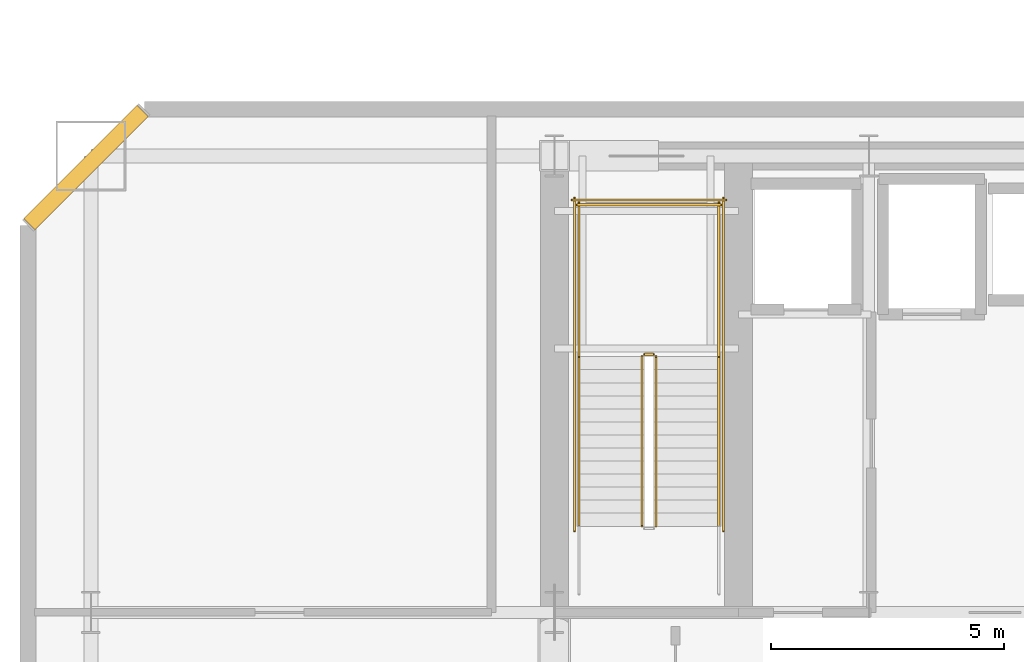
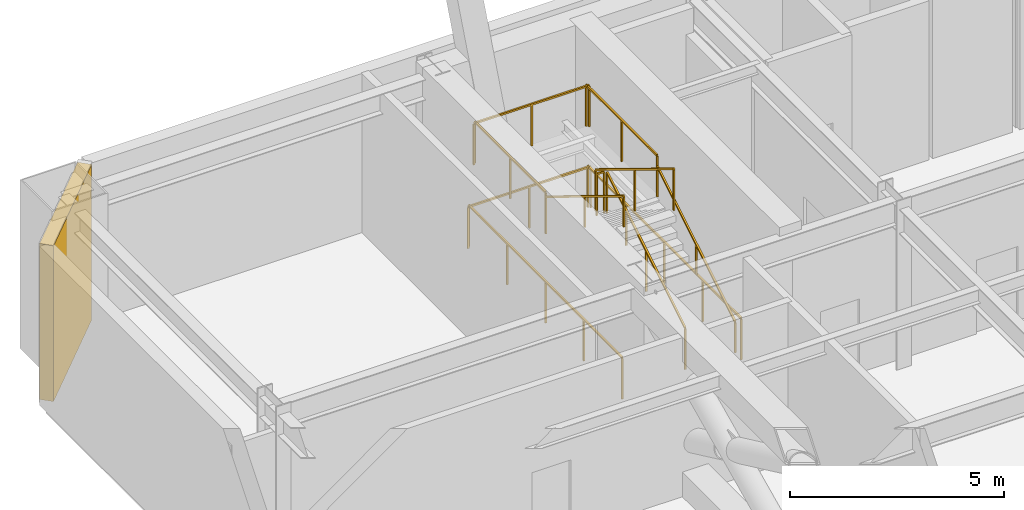
# One storey, part 13 of 17: 11 railings, 1 shading device.
"""IFC4 building model written with IfcOpenShell, lengths in metres."""

from ifc_helpers import new_model, si_unit, direction, frame, origin, origin_2d, place, context, subcontext, project, spatial, rectangle, extrude, material, layer, layer_set, type_object, element, save


model = new_model("IFC4")

# Units and contexts
model_context = context("Model", 3, precision=1e-05, world=origin(), true_north=direction((0.0, 1.0)))
body_context = subcontext(model_context, "Body", "Model", "MODEL_VIEW")
ifc_project = project(units=[si_unit("LENGTHUNIT", "METRE"), si_unit("AREAUNIT", "SQUARE_METRE"), si_unit("VOLUMEUNIT", "CUBIC_METRE"), si_unit("PLANEANGLEUNIT", "RADIAN"), si_unit("MASSUNIT", "GRAM", prefix="KILO")], contexts=[model_context])

# Site, building, storey
site_placement = place(None, origin())
site = spatial("IfcSite", under=ifc_project, at=site_placement, CompositionType="ELEMENT")
building_placement = place(site_placement, origin())
building = spatial("IfcBuilding", under=site, at=building_placement, Name="Haevon Station Towers", CompositionType="ELEMENT")
storey_placement = place(building_placement, frame((0.0, 0.0, 81.89990234375)))
storey = spatial("IfcBuildingStorey", under=building, at=storey_placement, Name="L21", CompositionType="ELEMENT", Elevation=81.89990234375)

# Railings
ifc_material_1 = material(Name="Steel S355", Category="steel")
railing_type_1 = type_object("IfcRailingType", Name="GRD-STR1200", PredefinedType="GUARDRAIL", material=ifc_material_1)
railing_1_placement = place(storey_placement, frame((26.179931640625, 40.050048828125, 0.171630859375)))
element("IfcRailing", 1, at=railing_1_placement, inside=storey, type_object=railing_type_1, Name="L21 ST1 Stair Guard 1", PredefinedType="GUARDRAIL", context=body_context, shape_type="SweptSolid", body=[
    extrude(rectangle(XDim=0.048095703125, YDim=0.048095703125, at=origin_2d()), frame((0.0, 0.0, 1.17578125), z_axis=(0.0, 0.852850264322, 0.5221555579), x_axis=(-1.0, 0.0, 0.0)), (0.0, 0.0, 1.0), 4.267822265625),
    extrude(rectangle(XDim=0.0419921875, YDim=0.0419921875, at=origin_2d()), origin(), (0.0, 0.0, 1.0), 1.15185546875),
    extrude(rectangle(XDim=0.0419921875, YDim=0.0419921875, at=origin_2d()), frame((0.0, 1.81982421875, 1.1142578125)), (0.0, 0.0, 1.0), 1.15185546875),
    extrude(rectangle(XDim=0.0419921875, YDim=0.0419921875, at=origin_2d()), frame((0.0, 3.639892578125, 2.228515625)), (0.0, 0.0, 1.0), 1.15185546875),
])
railing_2_placement = place(storey_placement, frame((26.1298828125, 43.739990234375, 2.400146484375)))
element("IfcRailing", 2, at=railing_2_placement, inside=storey, type_object=railing_type_1, Name="L21 ST1 Stair Guard 2", PredefinedType="GUARDRAIL", context=body_context, shape_type="SweptSolid", body=[
    extrude(rectangle(XDim=0.048095703125, YDim=0.048095703125, at=origin_2d()), frame((0.0, 0.0, 1.17578125), z_axis=(-1.0, 0.0, 0.0), x_axis=(0.0, -1.0, 0.0)), (0.0, 0.0, 1.0), 0.199951171875),
    extrude(rectangle(XDim=0.0419921875, YDim=0.0419921875, at=origin_2d()), origin(), (0.0, 0.0, 1.0), 1.15185546875),
    extrude(rectangle(XDim=0.0419921875, YDim=0.0419921875, at=origin_2d()), frame((-0.199951171875, 0.0, 0.0)), (0.0, 0.0, 1.0), 1.15185546875),
])
for number, where, name in (
    (3, (27.530029296875, 43.68994140625, 2.400146484375), "L21 ST1 Stair Guard 3"),
    (4, (24.530029296875, 43.68994140625, 2.400146484375), "L21 ST1 Stair Guard 4"),
):
    element("IfcRailing", number, at=place(storey_placement, frame(where)), inside=storey, type_object=railing_type_1, Name=name, PredefinedType="GUARDRAIL", context=body_context, shape_type="SweptSolid", body=[
        extrude(rectangle(XDim=0.048095703125, YDim=0.048095703125, at=origin_2d()), frame((0.0, 0.0, 1.17578125), z_axis=(0.0, 1.0, 0.0), x_axis=(-1.0, 0.0, 0.0)), (0.0, 0.0, 1.0), 3.31005859375),
        extrude(rectangle(XDim=0.0419921875, YDim=0.0419921875, at=origin_2d()), origin(), (0.0, 0.0, 1.0), 1.15185546875),
        extrude(rectangle(XDim=0.0419921875, YDim=0.0419921875, at=origin_2d()), frame((0.0, 1.655029296875, 0.0)), (0.0, 0.0, 1.0), 1.15185546875),
        extrude(rectangle(XDim=0.0419921875, YDim=0.0419921875, at=origin_2d()), frame((0.0, 3.31005859375, 0.0)), (0.0, 0.0, 1.0), 1.15185546875),
    ])
railing_3_placement = place(storey_placement, frame((27.580078125, 46.949951171875, 2.400146484375)))
element("IfcRailing", 5, at=railing_3_placement, inside=storey, type_object=railing_type_1, Name="L21 ST1 Stair Guard 5", PredefinedType="GUARDRAIL", context=body_context, shape_type="SweptSolid", body=[
    extrude(rectangle(XDim=0.048095703125, YDim=0.048095703125, at=origin_2d()), frame((0.0, 0.0, 1.17578125), z_axis=(-1.0, 0.0, 0.0), x_axis=(0.0, -1.0, 0.0)), (0.0, 0.0, 1.0), 3.10009765625),
    extrude(rectangle(XDim=0.0419921875, YDim=0.0419921875, at=origin_2d()), origin(), (0.0, 0.0, 1.0), 1.15185546875),
    extrude(rectangle(XDim=0.0419921875, YDim=0.0419921875, at=origin_2d()), frame((-1.550048828125, 0.0, 0.0)), (0.0, 0.0, 1.0), 1.15185546875),
    extrude(rectangle(XDim=0.0419921875, YDim=0.0419921875, at=origin_2d()), frame((-3.10009765625, 0.0, 0.0)), (0.0, 0.0, 1.0), 1.15185546875),
])
railing_4_placement = place(storey_placement, frame((25.8798828125, 43.68994140625, 2.571533203125)))
element("IfcRailing", 6, at=railing_4_placement, inside=storey, type_object=railing_type_1, Name="L21 ST1 Stair Guard 6", PredefinedType="GUARDRAIL", context=body_context, shape_type="SweptSolid", body=[
    extrude(rectangle(XDim=0.048095703125, YDim=0.048095703125, at=origin_2d()), frame((0.0, 0.0, 1.17578125), z_axis=(0.0, -0.852850264322, 0.5221555579), x_axis=(1.0, 0.0, 0.0)), (0.0, 0.0, 1.0), 4.267822265625),
    extrude(rectangle(XDim=0.0419921875, YDim=0.0419921875, at=origin_2d()), origin(), (0.0, 0.0, 1.0), 1.15185546875),
    extrude(rectangle(XDim=0.0419921875, YDim=0.0419921875, at=origin_2d()), frame((0.0, -1.81982421875, 1.1142578125)), (0.0, 0.0, 1.0), 1.15185546875),
    extrude(rectangle(XDim=0.0419921875, YDim=0.0419921875, at=origin_2d()), frame((0.0, -3.639892578125, 2.228515625)), (0.0, 0.0, 1.0), 1.15185546875),
])
for number, where, name in (
    (7, (27.6298828125, 39.949951171875, 0.0), "L21 ST1 Stair Guard 10"),
    (8, (24.429931640625, 39.949951171875, 0.0), "L21 ST1 Stair Guard 11"),
):
    element("IfcRailing", number, at=place(storey_placement, frame(where)), inside=storey, type_object=railing_type_1, Name=name, PredefinedType="GUARDRAIL", context=body_context, shape_type="SweptSolid", body=[
        extrude(rectangle(XDim=0.048095703125, YDim=0.048095703125, at=origin_2d()), frame((0.0, 0.0, 1.17578125), z_axis=(0.0, 1.0, 0.0), x_axis=(-1.0, 0.0, 0.0)), (0.0, 0.0, 1.0), 7.150146484375),
        extrude(rectangle(XDim=0.0419921875, YDim=0.0419921875, at=origin_2d()), origin(), (0.0, 0.0, 1.0), 1.15185546875),
        extrude(rectangle(XDim=0.0419921875, YDim=0.0419921875, at=origin_2d()), frame((0.0, 1.78759765625, 0.0)), (0.0, 0.0, 1.0), 1.15185546875),
        extrude(rectangle(XDim=0.0419921875, YDim=0.0419921875, at=origin_2d()), frame((0.0, 3.5751953125, 0.0)), (0.0, 0.0, 1.0), 1.15185546875),
        extrude(rectangle(XDim=0.0419921875, YDim=0.0419921875, at=origin_2d()), frame((0.0, 5.362548828125, 0.0)), (0.0, 0.0, 1.0), 1.15185546875),
        extrude(rectangle(XDim=0.0419921875, YDim=0.0419921875, at=origin_2d()), frame((0.0, 7.150146484375, 0.0)), (0.0, 0.0, 1.0), 1.15185546875),
    ])
railing_5_placement = place(storey_placement, frame((27.679931640625, 47.050048828125, 0.0)))
element("IfcRailing", 9, at=railing_5_placement, inside=storey, type_object=railing_type_1, Name="L21 ST1 Stair Guard 12", PredefinedType="GUARDRAIL", context=body_context, shape_type="SweptSolid", body=[
    extrude(rectangle(XDim=0.048095703125, YDim=0.048095703125, at=origin_2d()), frame((0.0, 0.0, 1.17578125), z_axis=(-1.0, 0.0, 0.0), x_axis=(0.0, -1.0, 0.0)), (0.0, 0.0, 1.0), 3.300048828125),
    extrude(rectangle(XDim=0.0419921875, YDim=0.0419921875, at=origin_2d()), origin(), (0.0, 0.0, 1.0), 1.15185546875),
    extrude(rectangle(XDim=0.0419921875, YDim=0.0419921875, at=origin_2d()), frame((-1.64990234375, 0.0, 0.0)), (0.0, 0.0, 1.0), 1.15185546875),
    extrude(rectangle(XDim=0.0419921875, YDim=0.0419921875, at=origin_2d()), frame((-3.300048828125, 0.0, 0.0)), (0.0, 0.0, 1.0), 1.15185546875),
])
railing_type_2 = type_object("IfcRailingType", Name="HND-STR900", PredefinedType="HANDRAIL", material=ifc_material_1)
railing_6_placement = place(storey_placement, frame((27.530029296875, 40.050048828125, 0.171630859375)))
element("IfcRailing", 10, at=railing_6_placement, inside=storey, type_object=railing_type_2, Name="L21 ST1 Stair Handrail 1", PredefinedType="HANDRAIL", context=body_context, shape_type="SweptSolid", body=[
    extrude(rectangle(XDim=0.048095703125, YDim=0.048095703125, at=origin_2d()), frame((0.0, 0.0, 0.8759765625), z_axis=(0.0, 0.852850264322, 0.5221555579), x_axis=(-1.0, 0.0, 0.0)), (0.0, 0.0, 1.0), 4.267822265625),
    extrude(rectangle(XDim=0.0419921875, YDim=0.0419921875, at=origin_2d()), origin(), (0.0, 0.0, 1.0), 0.851806640625),
    extrude(rectangle(XDim=0.0419921875, YDim=0.0419921875, at=origin_2d()), frame((0.0, 1.81982421875, 1.1142578125)), (0.0, 0.0, 1.0), 0.851806640625),
    extrude(rectangle(XDim=0.0419921875, YDim=0.0419921875, at=origin_2d()), frame((0.0, 3.639892578125, 2.228515625)), (0.0, 0.0, 1.0), 0.851806640625),
])
railing_7_placement = place(storey_placement, frame((24.530029296875, 43.68994140625, 2.571533203125)))
element("IfcRailing", 11, at=railing_7_placement, inside=storey, type_object=railing_type_2, Name="L21 ST1 Stair Handrail 2", PredefinedType="HANDRAIL", context=body_context, shape_type="SweptSolid", body=[
    extrude(rectangle(XDim=0.048095703125, YDim=0.048095703125, at=origin_2d()), frame((0.0, 0.0, 0.8759765625), z_axis=(0.0, -0.852850264322, 0.5221555579), x_axis=(1.0, 0.0, 0.0)), (0.0, 0.0, 1.0), 4.267822265625),
    extrude(rectangle(XDim=0.0419921875, YDim=0.0419921875, at=origin_2d()), origin(), (0.0, 0.0, 1.0), 0.851806640625),
    extrude(rectangle(XDim=0.0419921875, YDim=0.0419921875, at=origin_2d()), frame((0.0, -1.81982421875, 1.1142578125)), (0.0, 0.0, 1.0), 0.851806640625),
    extrude(rectangle(XDim=0.0419921875, YDim=0.0419921875, at=origin_2d()), frame((0.0, -3.639892578125, 2.228515625)), (0.0, 0.0, 1.0), 0.851806640625),
])

# Shading device
ifc_material_2 = material(Name="Anodised aluminium 6063-T6", Category="aluminium")
ifc_layer = layer(ifc_material_2, 0.139892578125)
ifc_layer_set = layer_set([ifc_layer], Name="Anodised aluminium 6063-T6")
shading_device_type = type_object("IfcShadingDeviceType", Name="SHD-WIND-BAFFLE", PredefinedType="SHUTTER", material=ifc_layer_set)
shading_device_placement = place(storey_placement, frame((13.949951171875, 47.75, 0.05029296875), z_axis=(0.0, 0.0, 1.0), x_axis=(0.707106781187, 0.707106781187, 0.0)))
element("IfcShadingDevice", 12, at=shading_device_placement, inside=storey, type_object=shading_device_type, Name="Tower 1 L21 Wind-Corner Aerofoil Baffle NWC", PredefinedType="SHUTTER", context=body_context, shape_type="SweptSolid", body=[
    extrude(rectangle(XDim=3.435546875, YDim=0.340087890625, at=origin_2d()), origin(), (0.0, 0.0, 1.0), 4.429931640625),
])

save(model, "model.ifc")
